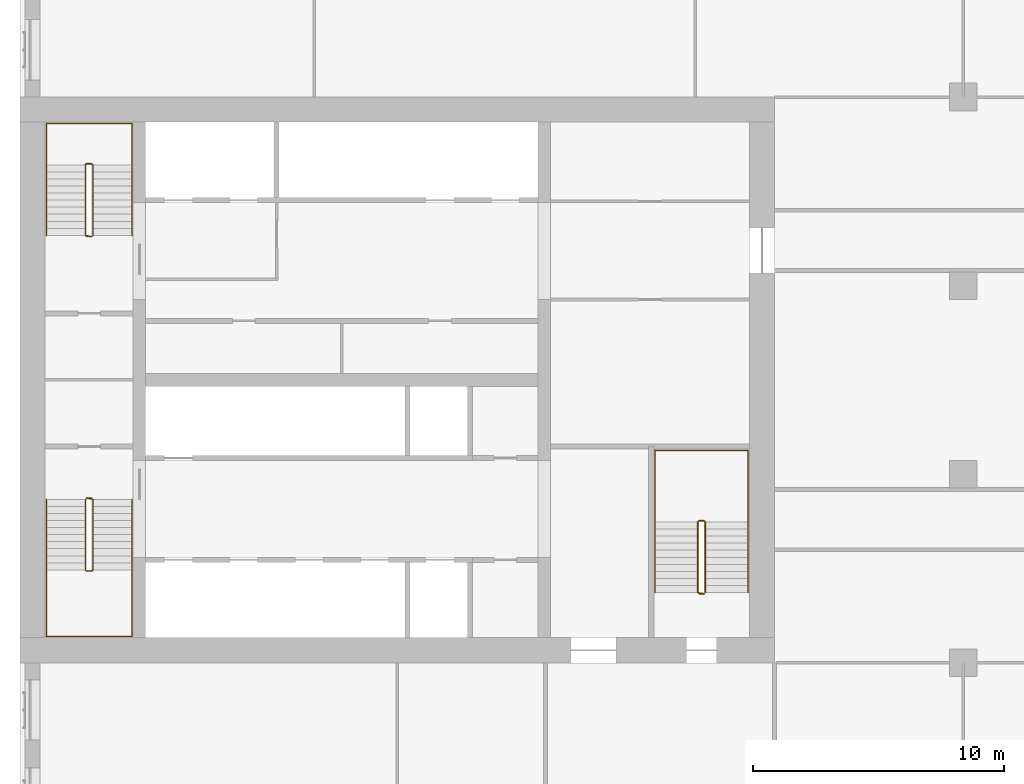
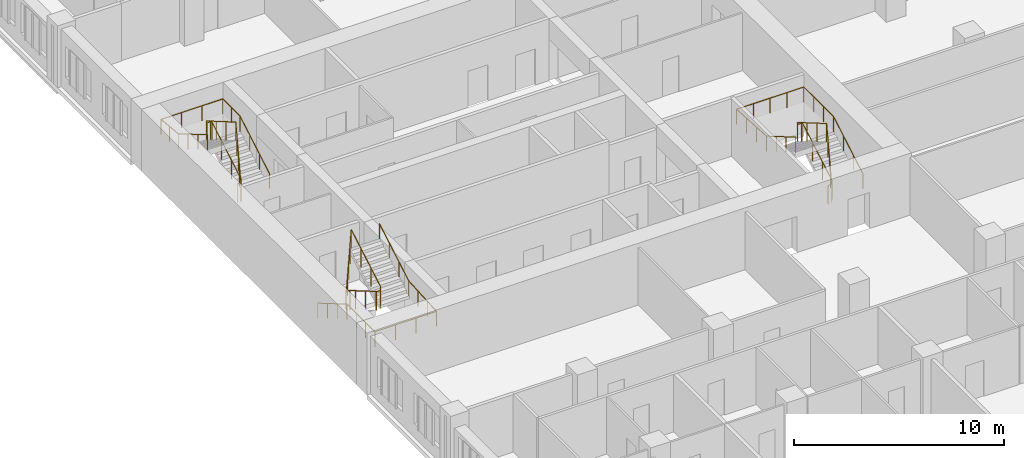
# One storey, part 14 of 14: 6 railings.
"""IFC4 building model written with IfcOpenShell, lengths in metres."""

import ifcopenshell
import ifcopenshell.guid

model = None  # the IFC model being written
_history = None  # IfcOwnerHistory: only IFC2X3 demands one
_inside = {}  # id of a spatial element -> (the spatial element, [elements in it])
_under = {}  # id of a project, library or spatial element -> (it, [spatial elements below it])
_declared = {}  # id of a project -> (the project, [libraries it declares])
_typed = {}  # id of a type object -> (the type object, [elements of that type])
_made_of = {}  # id of a material, layer set ... -> (it, [elements and type objects made of it])


def new_model(schema):
    """Start an empty IFC model of exactly this schema.

    Asked for "IFC4X3", IfcOpenShell would pick the latest addendum, in which some entities
    have other attributes; the version numbers below select the first issue.
    IFC2X3 requires an IfcOwnerHistory on every rooted entity: one is made here for all.
    """
    global model, _history
    if schema == "IFC4X3":
        model = ifcopenshell.file(schema_version=(4, 3, 0, 0))
    else:
        model = ifcopenshell.file(schema=schema)
    _inside.clear()
    _under.clear()
    _declared.clear()
    _typed.clear()
    _made_of.clear()
    _history = None
    if model.schema == "IFC2X3":
        org = make("IfcOrganization", Name="unknown")
        user = make(
            "IfcPersonAndOrganization",
            ThePerson=make("IfcPerson", FamilyName="unknown"),
            TheOrganization=org,
        )
        app = make(
            "IfcApplication",
            ApplicationDeveloper=org,
            Version="unknown",
            ApplicationFullName="unknown",
            ApplicationIdentifier="unknown",
        )
        _history = make(
            "IfcOwnerHistory",
            OwningUser=user,
            OwningApplication=app,
            ChangeAction="ADDED",
            CreationDate=0,
        )
    return model


def make(cls, **values):
    """One entity of the class cls with the attributes given. An attribute that is None is left unset."""
    return model.create_entity(
        cls, **{name: value for name, value in values.items() if value is not None}
    )


def rooted(cls, **values):
    """An entity with a GlobalId (a new one), such as an element, a storey or a relation."""
    return make(cls, GlobalId=ifcopenshell.guid.new(), OwnerHistory=_history, **values)


def si_unit(unit_type, name, prefix=None):
    """IfcSIUnit, for example si_unit("LENGTHUNIT", "METRE", prefix="MILLI")."""
    return make("IfcSIUnit", UnitType=unit_type, Prefix=prefix, Name=name)


def assignment(units):
    """IfcUnitAssignment: the units of a project."""
    return None if units is None else make("IfcUnitAssignment", Units=units)


def point(xyz):
    """IfcCartesianPoint."""
    return None if xyz is None else make("IfcCartesianPoint", Coordinates=xyz)


def direction(xyz):
    """IfcDirection."""
    return None if xyz is None else make("IfcDirection", DirectionRatios=xyz)


def frame(location, z_axis=None, x_axis=None):
    """IfcAxis2Placement3D, a coordinate frame: its origin and axes. An axis left out is left unset."""
    return make(
        "IfcAxis2Placement3D",
        Location=point(location),
        Axis=direction(z_axis),
        RefDirection=direction(x_axis),
    )


def frame_2d(location, x_axis=None):
    """IfcAxis2Placement2D, a coordinate frame in the plane: its origin and x axis."""
    return make(
        "IfcAxis2Placement2D", Location=point(location), RefDirection=direction(x_axis)
    )


def origin():
    """The frame at (0, 0, 0) with its axes left unset."""
    return frame((0.0, 0.0, 0.0))


def origin_2d():
    """The frame at (0, 0) in the plane with its x axis left unset."""
    return frame_2d((0.0, 0.0))


def place(relative_to, where):
    """IfcLocalPlacement: puts the frame where relative to a parent placement (None: the world)."""
    return make(
        "IfcLocalPlacement", PlacementRelTo=relative_to, RelativePlacement=where
    )


def context(
    kind, dimensions, precision=None, world=None, true_north=None, identifier=None
):
    """IfcGeometricRepresentationContext, for example the 3D "Model" context."""
    return make(
        "IfcGeometricRepresentationContext",
        ContextIdentifier=identifier,
        ContextType=kind,
        CoordinateSpaceDimension=dimensions,
        Precision=precision,
        WorldCoordinateSystem=world,
        TrueNorth=true_north,
    )


def subcontext(parent, identifier, kind, view, scale=None):
    """IfcGeometricRepresentationSubContext, for example "Body" below "Model"."""
    return make(
        "IfcGeometricRepresentationSubContext",
        ContextIdentifier=identifier,
        ContextType=kind,
        ParentContext=parent,
        TargetScale=scale,
        TargetView=view,
    )


def project(units=None, contexts=None):
    """IfcProject with its units and contexts."""
    return rooted(
        "IfcProject",
        Name="project",
        RepresentationContexts=contexts,
        UnitsInContext=assignment(units),
    )


def spatial(cls, under=None, at=None, **own):
    """A site, building, storey or space (cls), placed at a placement, below another one or the project."""
    s = rooted(cls, ObjectPlacement=at, **own)
    if under is not None:
        _under.setdefault(under.id(), (under, []))[1].append(s)
    return s


def profile(cls, at=None, kind="AREA", **sizes):
    """A parametric profile (cls). Its sizes go by their IFC names, for example OverallWidth=200.0."""
    return make(cls, ProfileType=kind, Position=at, **sizes)


def circle(**sizes):
    """IfcCircleProfileDef."""
    return profile("IfcCircleProfileDef", **sizes)


def extrude(swept, where, along, depth):
    """IfcExtrudedAreaSolid: the profile swept, set in the frame where, extruded along a direction by depth."""
    return make(
        "IfcExtrudedAreaSolid",
        SweptArea=swept,
        Position=where,
        ExtrudedDirection=direction(along),
        Depth=depth,
    )


def shape(context_of_items, identifier, shape_type, items):
    """IfcShapeRepresentation: the items that make up one representation, for example the "Body"."""
    return make(
        "IfcShapeRepresentation",
        ContextOfItems=context_of_items,
        RepresentationIdentifier=identifier,
        RepresentationType=shape_type,
        Items=items,
    )


def material(Name=None, Category=None):
    """IfcMaterial."""
    return make("IfcMaterial", Name=Name, Category=Category)


def made_of(thing, what):
    """Note that an element or type object is made of a material, layer set ...; save() writes the relation."""
    if what is not None:
        _made_of.setdefault(what.id(), (what, []))[1].append(thing)
    return thing


def type_object(cls, material=None, **own):
    """A type object (cls), such as IfcWallType, which elements share."""
    return made_of(rooted(cls, **own), material)


def element(
    cls,
    number,
    at=None,
    inside=None,
    cuts=None,
    type_object=None,
    material=None,
    context=None,
    identifier="Body",
    shape_type=None,
    held_by="IfcProductDefinitionShape",
    body=None,
    shapes=None,
    **own,
):
    """One element of the class cls, such as IfcWall. Its Tag is "e" and its number.

    at: its placement. inside: the storey or other place that contains it. cuts: it is an
    opening in that element (IfcRelVoidsElement). A single representation is given by context,
    identifier, shape_type and body (its items); several are given by shapes. held_by: the class
    of the entity that holds the representations. save() writes the other relations.
    """
    e = rooted(cls, Tag="e%d" % number, ObjectPlacement=at, **own)
    if body is not None:
        shapes = [shape(context, identifier, shape_type, body)]
    if shapes is not None:
        e.Representation = make(held_by, Representations=shapes)
    if inside is not None:
        _inside.setdefault(inside.id(), (inside, []))[1].append(e)
    if cuts is not None:
        rooted(
            "IfcRelVoidsElement", RelatingBuildingElement=cuts, RelatedOpeningElement=e
        )
    if type_object is not None:
        _typed.setdefault(type_object.id(), (type_object, []))[1].append(e)
    return made_of(e, material)


def aggregate(whole, parts):
    """IfcRelAggregates: a whole, such as a stair, and the parts it consists of."""
    return rooted("IfcRelAggregates", RelatingObject=whole, RelatedObjects=parts)


def save(model, path):
    """Write the relations noted so far, then the file.

    IfcRelAggregates (storeys below a building ...), IfcRelContainedInSpatialStructure (elements
    in a storey), IfcRelDefinesByType, IfcRelAssociatesMaterial and IfcRelDeclares: one each for
    every whole, place, type object, material and project.
    """
    for whole, parts in _under.values():
        aggregate(whole, parts)
    for where, things in _inside.values():
        rooted(
            "IfcRelContainedInSpatialStructure",
            RelatedElements=things,
            RelatingStructure=where,
        )
    for kind, things in _typed.values():
        rooted("IfcRelDefinesByType", RelatedObjects=things, RelatingType=kind)
    for what, things in _made_of.values():
        rooted("IfcRelAssociatesMaterial", RelatedObjects=things, RelatingMaterial=what)
    for by, libraries in _declared.values():
        rooted("IfcRelDeclares", RelatingContext=by, RelatedDefinitions=libraries)
    model.write(path)


model = new_model("IFC4")

# Units and contexts
model_context = context("Model", 3, precision=1e-05, world=origin(), true_north=direction((0.0, 1.0)))
body_context = subcontext(model_context, "Body", "Model", "MODEL_VIEW")
ifc_project = project(units=[si_unit("LENGTHUNIT", "METRE"), si_unit("AREAUNIT", "SQUARE_METRE"), si_unit("VOLUMEUNIT", "CUBIC_METRE"), si_unit("PLANEANGLEUNIT", "RADIAN"), si_unit("MASSUNIT", "GRAM", prefix="KILO")], contexts=[model_context])

# Site, building, storey
site_placement = place(None, origin())
site = spatial("IfcSite", under=ifc_project, at=site_placement, CompositionType="ELEMENT")
building_placement = place(site_placement, origin())
building = spatial("IfcBuilding", under=site, at=building_placement, Name="Tamorin Gate", CompositionType="ELEMENT")
storey_placement = place(building_placement, frame((0.0, 0.0, 93.5)))
storey = spatial("IfcBuildingStorey", under=building, at=storey_placement, Name="L22", CompositionType="ELEMENT", Elevation=93.5)

# Railings
ifc_material_1 = material(Name="Painted steel balustrade", Category="steel")
railing_type_1 = type_object("IfcRailingType", Name="Stair guard 1100", PredefinedType="GUARDRAIL", material=ifc_material_1)
railing_1_placement = place(storey_placement, frame((32.60009765625, 66.5, 0.16357421875)))
element("IfcRailing", 1, at=railing_1_placement, inside=storey, type_object=railing_type_1, Name="L22 ST1 stair guard 1", PredefinedType="GUARDRAIL", context=body_context, shape_type="SweptSolid", body=[
    extrude(circle(Radius=0.02392578125, at=origin_2d()), frame((0.0, 0.0, 1.076171875), z_axis=(0.0, -0.863360870873, 0.504586966384), x_axis=(1.0, 0.0, 0.0)), (0.0, 0.0, 1.0), 3.2431640625),
    extrude(circle(Radius=0.02392578125, at=origin_2d()), frame((0.0, -2.800048828125, 2.71240234375), z_axis=(0.705375805398, -0.708833529934, 0.0), x_axis=(0.708833529934, 0.705375805398, 0.0)), (0.0, 0.0, 1.0), 0.070556640625),
    extrude(circle(Radius=0.02392578125, at=origin_2d()), frame((0.0498046875, -2.85009765625, 2.71240234375), z_axis=(1.0, 0.0, 0.0), x_axis=(0.0, 1.0, 0.0)), (0.0, 0.0, 1.0), 0.2001953125),
    extrude(circle(Radius=0.02392578125, at=origin_2d()), frame((0.25, -2.85009765625, 2.71240234375), z_axis=(0.279546231943, 0.280916556609, 0.91811752648), x_axis=(-0.708833529934, 0.705375805398, 0.0)), (0.0, 0.0, 1.0), 0.17822265625),
    extrude(circle(Radius=0.02392578125, at=origin_2d()), frame((0.2998046875, -2.800048828125, 2.8759765625), z_axis=(0.0, 0.863360870873, 0.504586966384), x_axis=(-1.0, 0.0, 0.0)), (0.0, 0.0, 1.0), 3.2431640625),
    extrude(circle(Radius=0.02392578125, at=origin_2d()), frame((0.2998046875, 0.0, 4.5126953125), z_axis=(-0.069269067181, 0.013867342551, -0.997501625634), x_axis=(-0.196300278283, -0.98054382908, 0.0)), (0.0, 0.0, 1.0), 3.609130859375),
    extrude(circle(Radius=0.02392578125, at=origin_2d()), frame((0.0498046875, 0.050048828125, 0.91259765625), z_axis=(1.0, 0.0, 0.0), x_axis=(0.0, 1.0, 0.0)), (0.0, 0.0, 1.0), 0.2001953125),
    extrude(circle(Radius=0.02099609375, at=origin_2d()), origin(), (0.0, 0.0, 1.0), 1.052001953125),
    extrude(circle(Radius=0.02099609375, at=origin_2d()), frame((0.0, -0.933349609375, 0.54541015625)), (0.0, 0.0, 1.0), 1.052001953125),
    extrude(circle(Radius=0.02099609375, at=origin_2d()), frame((0.0, -1.86669921875, 1.091064453125)), (0.0, 0.0, 1.0), 1.052001953125),
    extrude(circle(Radius=0.02099609375, at=origin_2d()), frame((0.0, -2.800048828125, 1.636474609375)), (0.0, 0.0, 1.0), 1.052001953125),
    extrude(circle(Radius=0.02099609375, at=origin_2d()), frame((0.0498046875, -2.85009765625, 1.636474609375)), (0.0, 0.0, 1.0), 1.052001953125),
    extrude(circle(Radius=0.02099609375, at=origin_2d()), frame((0.25, -2.85009765625, 1.636474609375)), (0.0, 0.0, 1.0), 1.052001953125),
    extrude(circle(Radius=0.02099609375, at=origin_2d()), frame((0.2998046875, -2.800048828125, 1.800048828125)), (0.0, 0.0, 1.0), 1.052001953125),
    extrude(circle(Radius=0.02099609375, at=origin_2d()), frame((0.2998046875, -1.86669921875, 2.345458984375)), (0.0, 0.0, 1.0), 1.052001953125),
    extrude(circle(Radius=0.02099609375, at=origin_2d()), frame((0.2998046875, -0.933349609375, 2.89111328125)), (0.0, 0.0, 1.0), 1.052001953125),
    extrude(circle(Radius=0.02099609375, at=origin_2d()), frame((0.2998046875, 0.0, 3.4365234375)), (0.0, 0.0, 1.0), 1.052001953125),
    extrude(circle(Radius=0.02099609375, at=origin_2d()), frame((0.2373046875, 0.012451171875, 2.53662109375)), (0.0, 0.0, 1.0), 1.052001953125),
    extrude(circle(Radius=0.02099609375, at=origin_2d()), frame((0.1748046875, 0.02490234375, 1.636474609375)), (0.0, 0.0, 1.0), 1.052001953125),
    extrude(circle(Radius=0.02099609375, at=origin_2d()), frame((0.1123046875, 0.03759765625, 0.736328125)), (0.0, 0.0, 1.0), 1.052001953125),
    extrude(circle(Radius=0.02099609375, at=origin_2d()), frame((0.0498046875, 0.050048828125, -0.16357421875)), (0.0, 0.0, 1.0), 1.052001953125),
    extrude(circle(Radius=0.02099609375, at=origin_2d()), frame((0.25, 0.050048828125, -0.16357421875)), (0.0, 0.0, 1.0), 1.052001953125),
])
railing_2_placement = place(storey_placement, frame((32.89990234375, 77.0, 0.16357421875)))
element("IfcRailing", 2, at=railing_2_placement, inside=storey, type_object=railing_type_1, Name="L22 ST2 stair guard 1", PredefinedType="GUARDRAIL", context=body_context, shape_type="SweptSolid", body=[
    extrude(circle(Radius=0.02392578125, at=origin_2d()), frame((0.0, 0.0, 1.076171875), z_axis=(0.0, 0.863360870873, 0.504586966384), x_axis=(-1.0, 0.0, 0.0)), (0.0, 0.0, 1.0), 3.2431640625),
    extrude(circle(Radius=0.02392578125, at=origin_2d()), frame((0.0, 2.800048828125, 2.71240234375), z_axis=(-0.705375805398, 0.708833529934, 0.0), x_axis=(-0.708833529934, -0.705375805398, 0.0)), (0.0, 0.0, 1.0), 0.070556640625),
    extrude(circle(Radius=0.02392578125, at=origin_2d()), frame((-0.0498046875, 2.85009765625, 2.71240234375), z_axis=(-1.0, 0.0, 0.0), x_axis=(0.0, -1.0, 0.0)), (0.0, 0.0, 1.0), 0.2001953125),
    extrude(circle(Radius=0.02392578125, at=origin_2d()), frame((-0.25, 2.85009765625, 2.71240234375), z_axis=(-0.279546231943, -0.280916556609, 0.91811752648), x_axis=(0.708833529934, -0.705375805398, 0.0)), (0.0, 0.0, 1.0), 0.17822265625),
    extrude(circle(Radius=0.02392578125, at=origin_2d()), frame((-0.2998046875, 2.800048828125, 2.8759765625), z_axis=(0.0, -0.863360870873, 0.504586966384), x_axis=(1.0, 0.0, 0.0)), (0.0, 0.0, 1.0), 3.2431640625),
    extrude(circle(Radius=0.02392578125, at=origin_2d()), frame((-0.2998046875, 0.0, 4.5126953125), z_axis=(0.069269067181, -0.013867342551, -0.997501625634), x_axis=(0.196300278283, 0.98054382908, 0.0)), (0.0, 0.0, 1.0), 3.609130859375),
    extrude(circle(Radius=0.02392578125, at=origin_2d()), frame((-0.0498046875, -0.050048828125, 0.91259765625), z_axis=(-1.0, 0.0, 0.0), x_axis=(0.0, -1.0, 0.0)), (0.0, 0.0, 1.0), 0.2001953125),
    extrude(circle(Radius=0.02099609375, at=origin_2d()), origin(), (0.0, 0.0, 1.0), 1.052001953125),
    extrude(circle(Radius=0.02099609375, at=origin_2d()), frame((0.0, 0.933349609375, 0.54541015625)), (0.0, 0.0, 1.0), 1.052001953125),
    extrude(circle(Radius=0.02099609375, at=origin_2d()), frame((0.0, 1.86669921875, 1.091064453125)), (0.0, 0.0, 1.0), 1.052001953125),
    extrude(circle(Radius=0.02099609375, at=origin_2d()), frame((0.0, 2.800048828125, 1.636474609375)), (0.0, 0.0, 1.0), 1.052001953125),
    extrude(circle(Radius=0.02099609375, at=origin_2d()), frame((-0.0498046875, 2.85009765625, 1.636474609375)), (0.0, 0.0, 1.0), 1.052001953125),
    extrude(circle(Radius=0.02099609375, at=origin_2d()), frame((-0.25, 2.85009765625, 1.636474609375)), (0.0, 0.0, 1.0), 1.052001953125),
    extrude(circle(Radius=0.02099609375, at=origin_2d()), frame((-0.2998046875, 2.800048828125, 1.800048828125)), (0.0, 0.0, 1.0), 1.052001953125),
    extrude(circle(Radius=0.02099609375, at=origin_2d()), frame((-0.2998046875, 1.86669921875, 2.345458984375)), (0.0, 0.0, 1.0), 1.052001953125),
    extrude(circle(Radius=0.02099609375, at=origin_2d()), frame((-0.2998046875, 0.933349609375, 2.89111328125)), (0.0, 0.0, 1.0), 1.052001953125),
    extrude(circle(Radius=0.02099609375, at=origin_2d()), frame((-0.2998046875, 0.0, 3.4365234375)), (0.0, 0.0, 1.0), 1.052001953125),
    extrude(circle(Radius=0.02099609375, at=origin_2d()), frame((-0.2373046875, -0.012451171875, 2.53662109375)), (0.0, 0.0, 1.0), 1.052001953125),
    extrude(circle(Radius=0.02099609375, at=origin_2d()), frame((-0.1748046875, -0.02490234375, 1.636474609375)), (0.0, 0.0, 1.0), 1.052001953125),
    extrude(circle(Radius=0.02099609375, at=origin_2d()), frame((-0.1123046875, -0.03759765625, 0.736328125)), (0.0, 0.0, 1.0), 1.052001953125),
    extrude(circle(Radius=0.02099609375, at=origin_2d()), frame((-0.0498046875, -0.050048828125, -0.16357421875)), (0.0, 0.0, 1.0), 1.052001953125),
    extrude(circle(Radius=0.02099609375, at=origin_2d()), frame((-0.25, -0.050048828125, -0.16357421875)), (0.0, 0.0, 1.0), 1.052001953125),
])
railing_3_placement = place(storey_placement, frame((57.25, 62.800048828125, 0.16357421875)))
element("IfcRailing", 3, at=railing_3_placement, inside=storey, type_object=railing_type_1, Name="L22 ST3 stair guard 1", PredefinedType="GUARDRAIL", context=body_context, shape_type="SweptSolid", body=[
    extrude(circle(Radius=0.02392578125, at=origin_2d()), frame((0.0, 0.0, 1.076171875), z_axis=(0.0, 0.863360870873, 0.504586966384), x_axis=(-1.0, 0.0, 0.0)), (0.0, 0.0, 1.0), 3.2431640625),
    extrude(circle(Radius=0.02392578125, at=origin_2d()), frame((0.0, 2.800048828125, 2.71240234375), z_axis=(-0.708833529934, 0.705375805398, 0.0), x_axis=(-0.705375805398, -0.708833529934, 0.0)), (0.0, 0.0, 1.0), 0.070556640625),
    extrude(circle(Radius=0.02392578125, at=origin_2d()), frame((-0.050048828125, 2.849853515625, 2.71240234375), z_axis=(-1.0, 0.0, 0.0), x_axis=(0.0, -1.0, 0.0)), (0.0, 0.0, 1.0), 0.199951171875),
    extrude(circle(Radius=0.02392578125, at=origin_2d()), frame((-0.25, 2.849853515625, 2.71240234375), z_axis=(-0.280916556609, -0.279546231943, 0.91811752648), x_axis=(0.705375805398, -0.708833529934, 0.0)), (0.0, 0.0, 1.0), 0.17822265625),
    extrude(circle(Radius=0.02392578125, at=origin_2d()), frame((-0.300048828125, 2.800048828125, 2.8759765625), z_axis=(0.0, -0.863360870873, 0.504586966384), x_axis=(1.0, 0.0, 0.0)), (0.0, 0.0, 1.0), 3.2431640625),
    extrude(circle(Radius=0.02392578125, at=origin_2d()), frame((-0.300048828125, 0.0, 4.5126953125), z_axis=(0.069269067181, -0.013867342551, -0.997501625634), x_axis=(0.196300278283, 0.98054382908, 0.0)), (0.0, 0.0, 1.0), 3.609130859375),
    extrude(circle(Radius=0.02392578125, at=origin_2d()), frame((-0.050048828125, -0.050048828125, 0.91259765625), z_axis=(-1.0, 0.0, 0.0), x_axis=(0.0, -1.0, 0.0)), (0.0, 0.0, 1.0), 0.199951171875),
    extrude(circle(Radius=0.02099609375, at=origin_2d()), origin(), (0.0, 0.0, 1.0), 1.052001953125),
    extrude(circle(Radius=0.02099609375, at=origin_2d()), frame((0.0, 0.933349609375, 0.54541015625)), (0.0, 0.0, 1.0), 1.052001953125),
    extrude(circle(Radius=0.02099609375, at=origin_2d()), frame((0.0, 1.86669921875, 1.091064453125)), (0.0, 0.0, 1.0), 1.052001953125),
    extrude(circle(Radius=0.02099609375, at=origin_2d()), frame((0.0, 2.800048828125, 1.636474609375)), (0.0, 0.0, 1.0), 1.052001953125),
    extrude(circle(Radius=0.02099609375, at=origin_2d()), frame((-0.050048828125, 2.849853515625, 1.636474609375)), (0.0, 0.0, 1.0), 1.052001953125),
    extrude(circle(Radius=0.02099609375, at=origin_2d()), frame((-0.25, 2.849853515625, 1.636474609375)), (0.0, 0.0, 1.0), 1.052001953125),
    extrude(circle(Radius=0.02099609375, at=origin_2d()), frame((-0.300048828125, 2.800048828125, 1.800048828125)), (0.0, 0.0, 1.0), 1.052001953125),
    extrude(circle(Radius=0.02099609375, at=origin_2d()), frame((-0.300048828125, 1.86669921875, 2.345458984375)), (0.0, 0.0, 1.0), 1.052001953125),
    extrude(circle(Radius=0.02099609375, at=origin_2d()), frame((-0.300048828125, 0.933349609375, 2.89111328125)), (0.0, 0.0, 1.0), 1.052001953125),
    extrude(circle(Radius=0.02099609375, at=origin_2d()), frame((-0.300048828125, 0.0, 3.4365234375)), (0.0, 0.0, 1.0), 1.052001953125),
    extrude(circle(Radius=0.02099609375, at=origin_2d()), frame((-0.237548828125, -0.012451171875, 2.53662109375)), (0.0, 0.0, 1.0), 1.052001953125),
    extrude(circle(Radius=0.02099609375, at=origin_2d()), frame((-0.175048828125, -0.02490234375, 1.636474609375)), (0.0, 0.0, 1.0), 1.052001953125),
    extrude(circle(Radius=0.02099609375, at=origin_2d()), frame((-0.112548828125, -0.03759765625, 0.736328125)), (0.0, 0.0, 1.0), 1.052001953125),
    extrude(circle(Radius=0.02099609375, at=origin_2d()), frame((-0.050048828125, -0.050048828125, -0.16357421875)), (0.0, 0.0, 1.0), 1.052001953125),
    extrude(circle(Radius=0.02099609375, at=origin_2d()), frame((-0.25, -0.050048828125, -0.16357421875)), (0.0, 0.0, 1.0), 1.052001953125),
])
ifc_material_2 = material(Name="Painted steel handrail", Category="steel")
railing_type_2 = type_object("IfcRailingType", Name="Stair handrail 900", PredefinedType="HANDRAIL", material=ifc_material_2)
railing_4_placement = place(storey_placement, frame((31.050048828125, 66.5, 0.16357421875)))
element("IfcRailing", 4, at=railing_4_placement, inside=storey, type_object=railing_type_2, Name="L22 ST1 stair handrail 1", PredefinedType="HANDRAIL", context=body_context, shape_type="SweptSolid", body=[
    extrude(circle(Radius=0.02392578125, at=origin_2d()), frame((0.0, 0.0, 0.8759765625), z_axis=(0.0, -0.863360870873, 0.504586966384), x_axis=(1.0, 0.0, 0.0)), (0.0, 0.0, 1.0), 3.2431640625),
    extrude(circle(Radius=0.02392578125, at=origin_2d()), frame((0.0, -2.800048828125, 2.51220703125), z_axis=(0.0, -1.0, 0.0), x_axis=(1.0, 0.0, 0.0)), (0.0, 0.0, 1.0), 2.64990234375),
    extrude(circle(Radius=0.02392578125, at=origin_2d()), frame((0.0, -5.449951171875, 2.51220703125), z_axis=(1.0, 0.0, 0.0), x_axis=(0.0, 1.0, 0.0)), (0.0, 0.0, 1.0), 3.39990234375),
    extrude(circle(Radius=0.02392578125, at=origin_2d()), frame((3.39990234375, -5.449951171875, 2.51220703125), z_axis=(0.0, 0.998100230056, 0.061611125312), x_axis=(-1.0, 0.0, 0.0)), (0.0, 0.0, 1.0), 2.655029296875),
    extrude(circle(Radius=0.02392578125, at=origin_2d()), frame((3.39990234375, -2.800048828125, 2.67578125), z_axis=(0.0, 0.863360870873, 0.504586966384), x_axis=(-1.0, 0.0, 0.0)), (0.0, 0.0, 1.0), 3.2431640625),
    extrude(circle(Radius=0.02099609375, at=origin_2d()), origin(), (0.0, 0.0, 1.0), 0.851806640625),
    extrude(circle(Radius=0.02099609375, at=origin_2d()), frame((0.0, -0.933349609375, 0.54541015625)), (0.0, 0.0, 1.0), 0.851806640625),
    extrude(circle(Radius=0.02099609375, at=origin_2d()), frame((0.0, -1.86669921875, 1.091064453125)), (0.0, 0.0, 1.0), 0.851806640625),
    extrude(circle(Radius=0.02099609375, at=origin_2d()), frame((0.0, -2.800048828125, 1.636474609375)), (0.0, 0.0, 1.0), 0.851806640625),
    extrude(circle(Radius=0.02099609375, at=origin_2d()), frame((0.0, -3.683349609375, 1.636474609375)), (0.0, 0.0, 1.0), 0.851806640625),
    extrude(circle(Radius=0.02099609375, at=origin_2d()), frame((0.0, -4.566650390625, 1.636474609375)), (0.0, 0.0, 1.0), 0.851806640625),
    extrude(circle(Radius=0.02099609375, at=origin_2d()), frame((0.0, -5.449951171875, 1.636474609375)), (0.0, 0.0, 1.0), 0.851806640625),
    extrude(circle(Radius=0.02099609375, at=origin_2d()), frame((1.13330078125, -5.449951171875, 1.636474609375)), (0.0, 0.0, 1.0), 0.851806640625),
    extrude(circle(Radius=0.02099609375, at=origin_2d()), frame((2.2666015625, -5.449951171875, 1.636474609375)), (0.0, 0.0, 1.0), 0.851806640625),
    extrude(circle(Radius=0.02099609375, at=origin_2d()), frame((3.39990234375, -5.449951171875, 1.636474609375)), (0.0, 0.0, 1.0), 0.851806640625),
    extrude(circle(Radius=0.02099609375, at=origin_2d()), frame((3.39990234375, -4.566650390625, 1.69091796875)), (0.0, 0.0, 1.0), 0.851806640625),
    extrude(circle(Radius=0.02099609375, at=origin_2d()), frame((3.39990234375, -3.683349609375, 1.74560546875)), (0.0, 0.0, 1.0), 0.851806640625),
    extrude(circle(Radius=0.02099609375, at=origin_2d()), frame((3.39990234375, -2.800048828125, 1.800048828125)), (0.0, 0.0, 1.0), 0.851806640625),
    extrude(circle(Radius=0.02099609375, at=origin_2d()), frame((3.39990234375, -1.86669921875, 2.345458984375)), (0.0, 0.0, 1.0), 0.851806640625),
    extrude(circle(Radius=0.02099609375, at=origin_2d()), frame((3.39990234375, -0.933349609375, 2.89111328125)), (0.0, 0.0, 1.0), 0.851806640625),
    extrude(circle(Radius=0.02099609375, at=origin_2d()), frame((3.39990234375, 0.0, 3.4365234375)), (0.0, 0.0, 1.0), 0.851806640625),
])
railing_5_placement = place(storey_placement, frame((34.449951171875, 77.0, 0.16357421875)))
element("IfcRailing", 5, at=railing_5_placement, inside=storey, type_object=railing_type_2, Name="L22 ST2 stair handrail 1", PredefinedType="HANDRAIL", context=body_context, shape_type="SweptSolid", body=[
    extrude(circle(Radius=0.02392578125, at=origin_2d()), frame((0.0, 0.0, 0.8759765625), z_axis=(0.0, 0.863360870873, 0.504586966384), x_axis=(-1.0, 0.0, 0.0)), (0.0, 0.0, 1.0), 3.2431640625),
    extrude(circle(Radius=0.02392578125, at=origin_2d()), frame((0.0, 2.800048828125, 2.51220703125), z_axis=(0.0, 1.0, 0.0), x_axis=(-1.0, 0.0, 0.0)), (0.0, 0.0, 1.0), 1.64990234375),
    extrude(circle(Radius=0.02392578125, at=origin_2d()), frame((0.0, 4.449951171875, 2.51220703125), z_axis=(-1.0, 0.0, 0.0), x_axis=(0.0, -1.0, 0.0)), (0.0, 0.0, 1.0), 3.39990234375),
    extrude(circle(Radius=0.02392578125, at=origin_2d()), frame((-3.39990234375, 4.449951171875, 2.51220703125), z_axis=(0.0, -0.995121390814, 0.098658084026), x_axis=(1.0, 0.0, 0.0)), (0.0, 0.0, 1.0), 1.657958984375),
    extrude(circle(Radius=0.02392578125, at=origin_2d()), frame((-3.39990234375, 2.800048828125, 2.67578125), z_axis=(0.0, -0.863360870873, 0.504586966384), x_axis=(1.0, 0.0, 0.0)), (0.0, 0.0, 1.0), 3.2431640625),
    extrude(circle(Radius=0.02099609375, at=origin_2d()), origin(), (0.0, 0.0, 1.0), 0.851806640625),
    extrude(circle(Radius=0.02099609375, at=origin_2d()), frame((0.0, 0.933349609375, 0.54541015625)), (0.0, 0.0, 1.0), 0.851806640625),
    extrude(circle(Radius=0.02099609375, at=origin_2d()), frame((0.0, 1.86669921875, 1.091064453125)), (0.0, 0.0, 1.0), 0.851806640625),
    extrude(circle(Radius=0.02099609375, at=origin_2d()), frame((0.0, 2.800048828125, 1.636474609375)), (0.0, 0.0, 1.0), 0.851806640625),
    extrude(circle(Radius=0.02099609375, at=origin_2d()), frame((0.0, 3.625, 1.636474609375)), (0.0, 0.0, 1.0), 0.851806640625),
    extrude(circle(Radius=0.02099609375, at=origin_2d()), frame((0.0, 4.449951171875, 1.636474609375)), (0.0, 0.0, 1.0), 0.851806640625),
    extrude(circle(Radius=0.02099609375, at=origin_2d()), frame((-1.13330078125, 4.449951171875, 1.636474609375)), (0.0, 0.0, 1.0), 0.851806640625),
    extrude(circle(Radius=0.02099609375, at=origin_2d()), frame((-2.2666015625, 4.449951171875, 1.636474609375)), (0.0, 0.0, 1.0), 0.851806640625),
    extrude(circle(Radius=0.02099609375, at=origin_2d()), frame((-3.39990234375, 4.449951171875, 1.636474609375)), (0.0, 0.0, 1.0), 0.851806640625),
    extrude(circle(Radius=0.02099609375, at=origin_2d()), frame((-3.39990234375, 3.625, 1.71826171875)), (0.0, 0.0, 1.0), 0.851806640625),
    extrude(circle(Radius=0.02099609375, at=origin_2d()), frame((-3.39990234375, 2.800048828125, 1.800048828125)), (0.0, 0.0, 1.0), 0.851806640625),
    extrude(circle(Radius=0.02099609375, at=origin_2d()), frame((-3.39990234375, 1.86669921875, 2.345458984375)), (0.0, 0.0, 1.0), 0.851806640625),
    extrude(circle(Radius=0.02099609375, at=origin_2d()), frame((-3.39990234375, 0.933349609375, 2.89111328125)), (0.0, 0.0, 1.0), 0.851806640625),
    extrude(circle(Radius=0.02099609375, at=origin_2d()), frame((-3.39990234375, 0.0, 3.4365234375)), (0.0, 0.0, 1.0), 0.851806640625),
])
railing_6_placement = place(storey_placement, frame((58.949951171875, 62.800048828125, 0.16357421875)))
element("IfcRailing", 6, at=railing_6_placement, inside=storey, type_object=railing_type_2, Name="L22 ST3 stair handrail 1", PredefinedType="HANDRAIL", context=body_context, shape_type="SweptSolid", body=[
    extrude(circle(Radius=0.02392578125, at=origin_2d()), frame((0.0, 0.0, 0.8759765625), z_axis=(0.0, 0.863360870873, 0.504586966384), x_axis=(-1.0, 0.0, 0.0)), (0.0, 0.0, 1.0), 3.2431640625),
    extrude(circle(Radius=0.02392578125, at=origin_2d()), frame((0.0, 2.800048828125, 2.51220703125), z_axis=(0.0, 1.0, 0.0), x_axis=(-1.0, 0.0, 0.0)), (0.0, 0.0, 1.0), 2.849853515625),
    extrude(circle(Radius=0.02392578125, at=origin_2d()), frame((0.0, 5.64990234375, 2.51220703125), z_axis=(-1.0, 0.0, 0.0), x_axis=(0.0, -1.0, 0.0)), (0.0, 0.0, 1.0), 3.699951171875),
    extrude(circle(Radius=0.02392578125, at=origin_2d()), frame((-3.699951171875, 5.64990234375, 2.51220703125), z_axis=(0.0, -0.998356827416, 0.057303098978), x_axis=(1.0, 0.0, 0.0)), (0.0, 0.0, 1.0), 2.8544921875),
    extrude(circle(Radius=0.02392578125, at=origin_2d()), frame((-3.699951171875, 2.800048828125, 2.67578125), z_axis=(0.0, -0.863360870873, 0.504586966384), x_axis=(1.0, 0.0, 0.0)), (0.0, 0.0, 1.0), 3.2431640625),
    extrude(circle(Radius=0.02099609375, at=origin_2d()), origin(), (0.0, 0.0, 1.0), 0.851806640625),
    extrude(circle(Radius=0.02099609375, at=origin_2d()), frame((0.0, 0.933349609375, 0.54541015625)), (0.0, 0.0, 1.0), 0.851806640625),
    extrude(circle(Radius=0.02099609375, at=origin_2d()), frame((0.0, 1.86669921875, 1.091064453125)), (0.0, 0.0, 1.0), 0.851806640625),
    extrude(circle(Radius=0.02099609375, at=origin_2d()), frame((0.0, 2.800048828125, 1.636474609375)), (0.0, 0.0, 1.0), 0.851806640625),
    extrude(circle(Radius=0.02099609375, at=origin_2d()), frame((0.0, 3.75, 1.636474609375)), (0.0, 0.0, 1.0), 0.851806640625),
    extrude(circle(Radius=0.02099609375, at=origin_2d()), frame((0.0, 4.699951171875, 1.636474609375)), (0.0, 0.0, 1.0), 0.851806640625),
    extrude(circle(Radius=0.02099609375, at=origin_2d()), frame((0.0, 5.64990234375, 1.636474609375)), (0.0, 0.0, 1.0), 0.851806640625),
    extrude(circle(Radius=0.02099609375, at=origin_2d()), frame((-0.925048828125, 5.64990234375, 1.636474609375)), (0.0, 0.0, 1.0), 0.851806640625),
    extrude(circle(Radius=0.02099609375, at=origin_2d()), frame((-1.85009765625, 5.64990234375, 1.636474609375)), (0.0, 0.0, 1.0), 0.851806640625),
    extrude(circle(Radius=0.02099609375, at=origin_2d()), frame((-2.77490234375, 5.64990234375, 1.636474609375)), (0.0, 0.0, 1.0), 0.851806640625),
    extrude(circle(Radius=0.02099609375, at=origin_2d()), frame((-3.699951171875, 5.64990234375, 1.636474609375)), (0.0, 0.0, 1.0), 0.851806640625),
    extrude(circle(Radius=0.02099609375, at=origin_2d()), frame((-3.699951171875, 4.699951171875, 1.69091796875)), (0.0, 0.0, 1.0), 0.851806640625),
    extrude(circle(Radius=0.02099609375, at=origin_2d()), frame((-3.699951171875, 3.75, 1.74560546875)), (0.0, 0.0, 1.0), 0.851806640625),
    extrude(circle(Radius=0.02099609375, at=origin_2d()), frame((-3.699951171875, 2.800048828125, 1.800048828125)), (0.0, 0.0, 1.0), 0.851806640625),
    extrude(circle(Radius=0.02099609375, at=origin_2d()), frame((-3.699951171875, 1.86669921875, 2.345458984375)), (0.0, 0.0, 1.0), 0.851806640625),
    extrude(circle(Radius=0.02099609375, at=origin_2d()), frame((-3.699951171875, 0.933349609375, 2.89111328125)), (0.0, 0.0, 1.0), 0.851806640625),
    extrude(circle(Radius=0.02099609375, at=origin_2d()), frame((-3.699951171875, 0.0, 3.4365234375)), (0.0, 0.0, 1.0), 0.851806640625),
])

save(model, "model.ifc")
